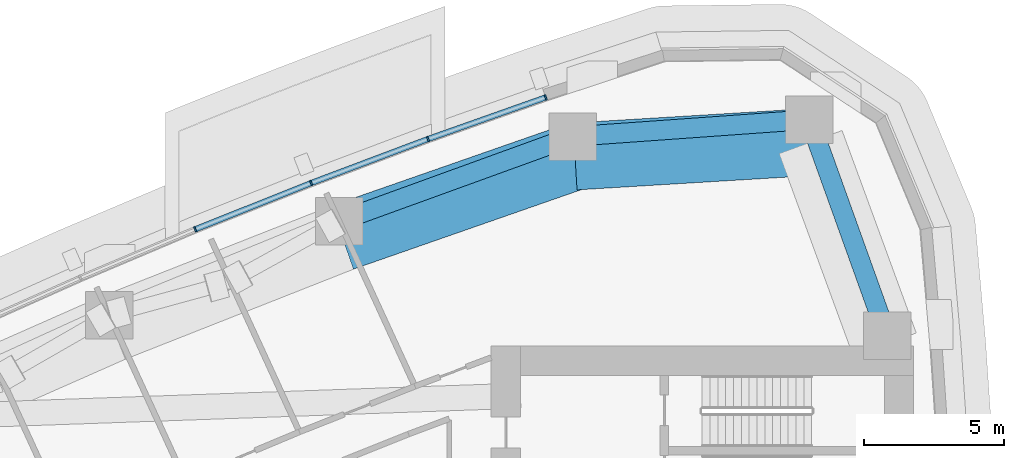
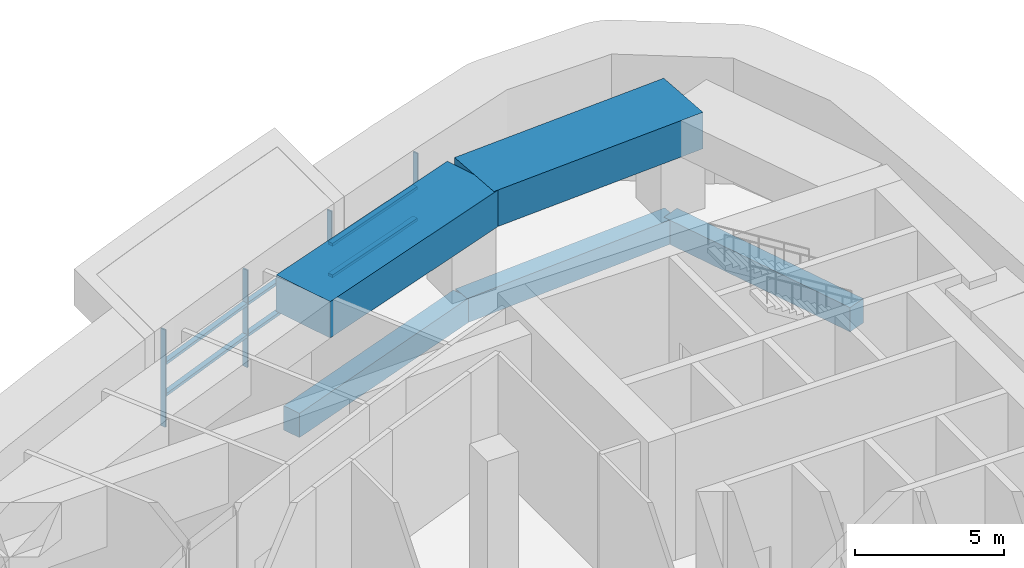
# One storey, part 8 of 19: 10 members, 5 beams, 2 elements without a shape of their own.
"""IFC4 building model written with IfcOpenShell, lengths in metres."""

from ifc_helpers import new_model, si_unit, direction, frame, origin, origin_2d, place, context, subcontext, project, spatial, rectangle, extrude, material, layer, layer_set, material_profile, profile_set, type_object, element, aggregate, save


model = new_model("IFC4")

# Units and contexts
model_context = context("Model", 3, precision=1e-05, world=origin(), true_north=direction((0.0, 1.0)))
body_context = subcontext(model_context, "Body", "Model", "MODEL_VIEW")
ifc_project = project(units=[si_unit("LENGTHUNIT", "METRE"), si_unit("AREAUNIT", "SQUARE_METRE"), si_unit("VOLUMEUNIT", "CUBIC_METRE"), si_unit("PLANEANGLEUNIT", "RADIAN"), si_unit("MASSUNIT", "GRAM", prefix="KILO")], contexts=[model_context])

# Site, building, storey
site_placement = place(None, origin())
site = spatial("IfcSite", under=ifc_project, at=site_placement, CompositionType="ELEMENT")
building_placement = place(site_placement, origin())
building = spatial("IfcBuilding", under=site, at=building_placement, Name="Ostrand Prow Hotel Tower", CompositionType="ELEMENT")
storey_placement = place(building_placement, frame((0.0, 0.0, 120.39990234375)))
storey = spatial("IfcBuildingStorey", under=building, at=storey_placement, Name="L29", CompositionType="ELEMENT", Elevation=120.39990234375)

# Beams
ifc_material_1 = material(Name="Concrete C80/95", Category="concrete")
ifc_material_profile_1 = material_profile(ifc_material_1, rectangle(XDim=2.39990234375, YDim=1.5, at=origin_2d()), Name="RC 2400x1500")
ifc_profile_set_1 = profile_set([ifc_material_profile_1], Name="Concrete C80/95")
beam_type_1 = type_object("IfcBeamType", Name="Belt girder 2400x1500 C80/95", PredefinedType="BEAM", material=ifc_profile_set_1)
beam_1_placement = place(storey_placement, frame((61.078857421875, 24.09375, 4.150146484375), z_axis=(-0.998154820861, -0.060720289789, 0.0), x_axis=(0.060720289789, -0.998154820861, 0.0)))
element("IfcBeam", 1, at=beam_1_placement, inside=storey, type_object=beam_type_1, Name="Belt girder NE-N1", PredefinedType="BEAM", context=body_context, shape_type="SweptSolid", body=[
    extrude(rectangle(XDim=2.39990234375, YDim=1.5, at=origin_2d()), origin(), (0.0, 0.0, 1.0), 8.443603515625),
])
beam_2_placement = place(storey_placement, frame((52.65087890625, 23.5810546875, 4.150146484375), z_axis=(-0.944258238661, -0.329205678445, 0.0), x_axis=(0.329205678445, -0.944258238661, 0.0)))
element("IfcBeam", 2, at=beam_2_placement, inside=storey, type_object=beam_type_1, Name="Belt girder N1-N2", PredefinedType="BEAM", context=body_context, shape_type="SweptSolid", body=[
    extrude(rectangle(XDim=2.39990234375, YDim=1.5, at=origin_2d()), origin(), (0.0, 0.0, 1.0), 8.817626953125),
])
ifc_material_2 = material(Name="Concrete C80/95", Category="concrete")
ifc_material_profile_2 = material_profile(ifc_material_2, rectangle(XDim=0.699951171875, YDim=1.0, at=origin_2d()), Name="RC 700x1000")
ifc_profile_set_2 = profile_set([ifc_material_profile_2], Name="Concrete C80/95")
beam_type_2 = type_object("IfcBeamType", Name="Edge beam 700x1000 C80/95", PredefinedType="SPANDREL", material=ifc_profile_set_2)
beam_3_placement = place(storey_placement, frame((63.815673828125, 17.16357421875, -0.89990234375), z_axis=(-0.337815484063, 0.941212355809, 0.0), x_axis=(-0.941212355809, -0.337815484063, 0.0)))
element("IfcBeam", 3, at=beam_3_placement, inside=storey, type_object=beam_type_2, Name="Edge beam B5-NE", PredefinedType="SPANDREL", context=body_context, shape_type="SweptSolid", body=[
    extrude(rectangle(XDim=0.699951171875, YDim=1.0, at=origin_2d()), origin(), (0.0, 0.0, 1.0), 8.21630859375),
])
beam_4_placement = place(storey_placement, frame((61.0400390625, 24.89697265625, -0.89990234375), z_axis=(-0.99747195063, -0.071061295414, 0.0), x_axis=(0.071061295414, -0.99747195063, 0.0)))
element("IfcBeam", 4, at=beam_4_placement, inside=storey, type_object=beam_type_2, Name="Edge beam NE-N1", PredefinedType="SPANDREL", context=body_context, shape_type="SweptSolid", body=[
    extrude(rectangle(XDim=0.699951171875, YDim=1.0, at=origin_2d()), origin(), (0.0, 0.0, 1.0), 8.499755859375),
])
beam_5_placement = place(storey_placement, frame((52.561767578125, 24.29296875, -0.89990234375), z_axis=(-0.940062739321, -0.341001533927, 0.0), x_axis=(0.341001533927, -0.940062739321, 0.0)))
element("IfcBeam", 5, at=beam_5_placement, inside=storey, type_object=beam_type_2, Name="Edge beam N1-N2", PredefinedType="SPANDREL", context=body_context, shape_type="SweptSolid", body=[
    extrude(rectangle(XDim=0.699951171875, YDim=1.0, at=origin_2d()), origin(), (0.0, 0.0, 1.0), 8.883544921875),
])

# Curtain wall, members
ifc_material_3 = material(Name="Insulated glass in bronze anodised frame", Category="glass")
ifc_layer = layer(ifc_material_3, 0.199951171875)
ifc_layer_set = layer_set([ifc_layer], Name="Insulated glass in bronze anodised frame")
curtain_wall_type = type_object("IfcCurtainWallType", Name="Plant storey louvre wall", PredefinedType="NOTDEFINED", material=ifc_layer_set)
curtain_wall_1_placement = place(storey_placement, origin())
curtain_wall_1 = element("IfcCurtainWall", 6, at=curtain_wall_1_placement, inside=storey, type_object=curtain_wall_type, Name="CW7 run CWN1", PredefinedType="NOTDEFINED")
ifc_material_4 = material(Name="Bronze anodised aluminium", Category="aluminium")
ifc_material_profile_3 = material_profile(ifc_material_4, rectangle(XDim=0.199951171875, YDim=0.06005859375, at=origin_2d()), Name="Mullion 60x200 bronze anodised aluminium")
ifc_profile_set_3 = profile_set([ifc_material_profile_3], Name="Bronze anodised aluminium")
member_type_1 = type_object("IfcMemberType", Name="Mullion 60x200 bronze anodised aluminium", PredefinedType="MULLION", material=ifc_profile_set_3)
member_1_placement = place(storey_placement, frame((51.601318359375, 25.692138671875, 0.900146484375), z_axis=(0.0, 0.0, 1.0), x_axis=(0.333495894542, -0.942751551748, 0.0)))
member_1 = element("IfcMember", 7, at=member_1_placement, type_object=member_type_1, Name="CW7 mullion 1", PredefinedType="MULLION", context=body_context, shape_type="SweptSolid", body=[
    extrude(rectangle(XDim=0.199951171875, YDim=0.06005859375, at=origin_2d()), origin(), (0.0, 0.0, 1.0), 4.0),
])
member_2_placement = place(storey_placement, frame((47.390869140625, 24.202880859375, 0.900146484375), z_axis=(0.0, 0.0, 1.0), x_axis=(0.35230885193, -0.935883792387, 0.0)))
member_2 = element("IfcMember", 8, at=member_2_placement, type_object=member_type_1, Name="CW7 mullion 2", PredefinedType="MULLION", context=body_context, shape_type="SweptSolid", body=[
    extrude(rectangle(XDim=0.199951171875, YDim=0.06005859375, at=origin_2d()), origin(), (0.0, 0.0, 1.0), 4.0),
])
member_3_placement = place(storey_placement, frame((43.211181640625, 22.62939453125, 0.900146484375), z_axis=(0.0, 0.0, 1.0), x_axis=(0.35230885193, -0.935883792387, 0.0)))
member_3 = element("IfcMember", 9, at=member_3_placement, type_object=member_type_1, Name="CW7 mullion 3", PredefinedType="MULLION", context=body_context, shape_type="SweptSolid", body=[
    extrude(rectangle(XDim=0.199951171875, YDim=0.06005859375, at=origin_2d()), origin(), (0.0, 0.0, 1.0), 4.0),
])

# Curtain wall, member
curtain_wall_2_placement = place(storey_placement, origin())
curtain_wall_2 = element("IfcCurtainWall", 10, at=curtain_wall_2_placement, inside=storey, type_object=curtain_wall_type, Name="CW7 run CWN2", PredefinedType="NOTDEFINED")
member_4_placement = place(storey_placement, frame((39.06396484375, 20.97265625, 0.900146484375), z_axis=(0.0, 0.0, 1.0), x_axis=(0.389506566255, -0.921023688536, 0.0)))
member_4 = element("IfcMember", 11, at=member_4_placement, type_object=member_type_1, Name="CW7 mullion 2", PredefinedType="MULLION", context=body_context, shape_type="SweptSolid", body=[
    extrude(rectangle(XDim=0.199951171875, YDim=0.06005859375, at=origin_2d()), origin(), (0.0, 0.0, 1.0), 4.0),
])

# Member
ifc_material_5 = material(Name="Bronze anodised aluminium", Category="aluminium")
ifc_material_profile_4 = material_profile(ifc_material_5, rectangle(XDim=0.199951171875, YDim=0.1201171875, at=origin_2d()), Name="Transom 120x200 bronze anodised aluminium")
ifc_profile_set_4 = profile_set([ifc_material_profile_4], Name="Bronze anodised aluminium")
member_type_2 = type_object("IfcMemberType", Name="Transom 120x200 bronze anodised aluminium", PredefinedType="USERDEFINED", material=ifc_profile_set_4)
member_5_placement = place(storey_placement, frame((51.572998046875, 25.68212890625, 2.2001953125), z_axis=(-0.942763014139, -0.333463490013, 0.0), x_axis=(0.333463490013, -0.942763014139, 0.0)))
member_5 = element("IfcMember", 12, at=member_5_placement, type_object=member_type_2, Name="CW7 transom 1.1", ObjectType="TRANSOM", PredefinedType="USERDEFINED", context=body_context, shape_type="SweptSolid", body=[
    extrude(rectangle(XDim=0.199951171875, YDim=0.1201171875, at=origin_2d()), origin(), (0.0, 0.0, 1.0), 4.406005859375),
])

member_6_placement = place(storey_placement, frame((51.572998046875, 25.68212890625, 3.5), z_axis=(-0.942763014139, -0.333463490013, 0.0), x_axis=(0.333463490013, -0.942763014139, 0.0)))
member_6 = element("IfcMember", 13, at=member_6_placement, type_object=member_type_2, Name="CW7 transom 1.2", ObjectType="TRANSOM", PredefinedType="USERDEFINED", context=body_context, shape_type="SweptSolid", body=[
    extrude(rectangle(XDim=0.199951171875, YDim=0.1201171875, at=origin_2d()), origin(), (0.0, 0.0, 1.0), 4.406005859375),
])

member_7_placement = place(storey_placement, frame((47.36279296875, 24.1923828125, 2.2001953125), z_axis=(-0.935868398429, -0.352349742191, 0.0), x_axis=(0.352349742191, -0.935868398429, 0.0)))
member_7 = element("IfcMember", 14, at=member_7_placement, type_object=member_type_2, Name="CW7 transom 2.1", ObjectType="TRANSOM", PredefinedType="USERDEFINED", context=body_context, shape_type="SweptSolid", body=[
    extrude(rectangle(XDim=0.199951171875, YDim=0.1201171875, at=origin_2d()), origin(), (0.0, 0.0, 1.0), 4.406005859375),
])

member_8_placement = place(storey_placement, frame((47.36279296875, 24.1923828125, 3.5), z_axis=(-0.935868398429, -0.352349742191, 0.0), x_axis=(0.352349742191, -0.935868398429, 0.0)))
member_8 = element("IfcMember", 15, at=member_8_placement, type_object=member_type_2, Name="CW7 transom 2.2", ObjectType="TRANSOM", PredefinedType="USERDEFINED", context=body_context, shape_type="SweptSolid", body=[
    extrude(rectangle(XDim=0.199951171875, YDim=0.1201171875, at=origin_2d()), origin(), (0.0, 0.0, 1.0), 4.406005859375),
])

aggregate(curtain_wall_1, [member_1, member_2, member_3, member_5, member_6, member_7, member_8])

member_9_placement = place(storey_placement, frame((43.183349609375, 22.618408203125, 2.2001953125), z_axis=(-0.928621833209, -0.371027614724, 0.0), x_axis=(0.371027614724, -0.928621833209, 0.0)))
member_9 = element("IfcMember", 16, at=member_9_placement, type_object=member_type_2, Name="CW7 transom 1.1", ObjectType="TRANSOM", PredefinedType="USERDEFINED", context=body_context, shape_type="SweptSolid", body=[
    extrude(rectangle(XDim=0.199951171875, YDim=0.1201171875, at=origin_2d()), origin(), (0.0, 0.0, 1.0), 4.406005859375),
])

member_10_placement = place(storey_placement, frame((43.183349609375, 22.618408203125, 3.5), z_axis=(-0.928621833209, -0.371027614724, 0.0), x_axis=(0.371027614724, -0.928621833209, 0.0)))
member_10 = element("IfcMember", 17, at=member_10_placement, type_object=member_type_2, Name="CW7 transom 1.2", ObjectType="TRANSOM", PredefinedType="USERDEFINED", context=body_context, shape_type="SweptSolid", body=[
    extrude(rectangle(XDim=0.199951171875, YDim=0.1201171875, at=origin_2d()), origin(), (0.0, 0.0, 1.0), 4.406005859375),
])

aggregate(curtain_wall_2, [member_4, member_9, member_10])

save(model, "model.ifc")
